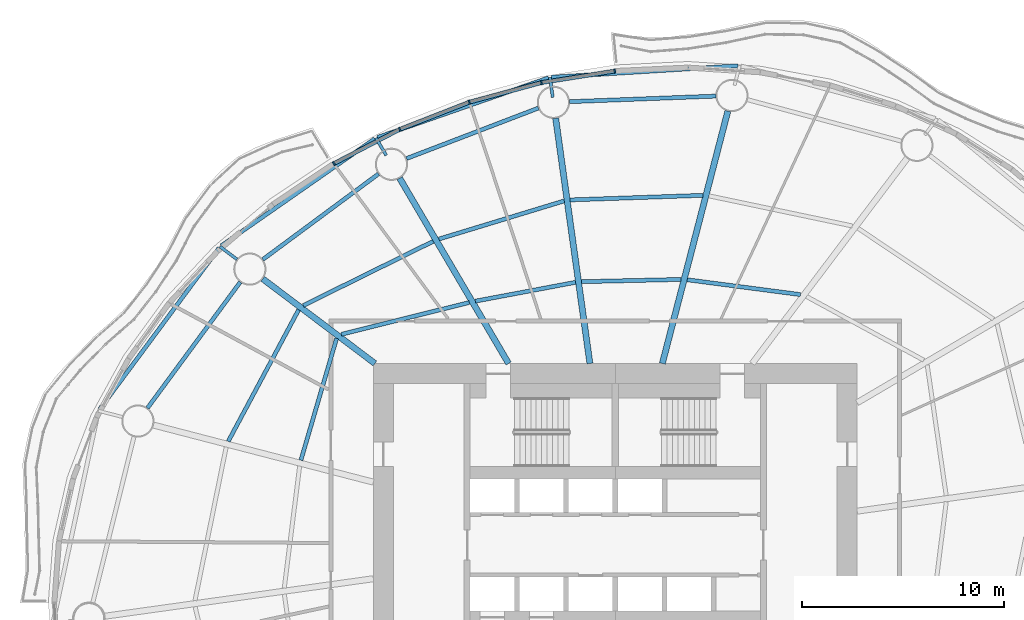
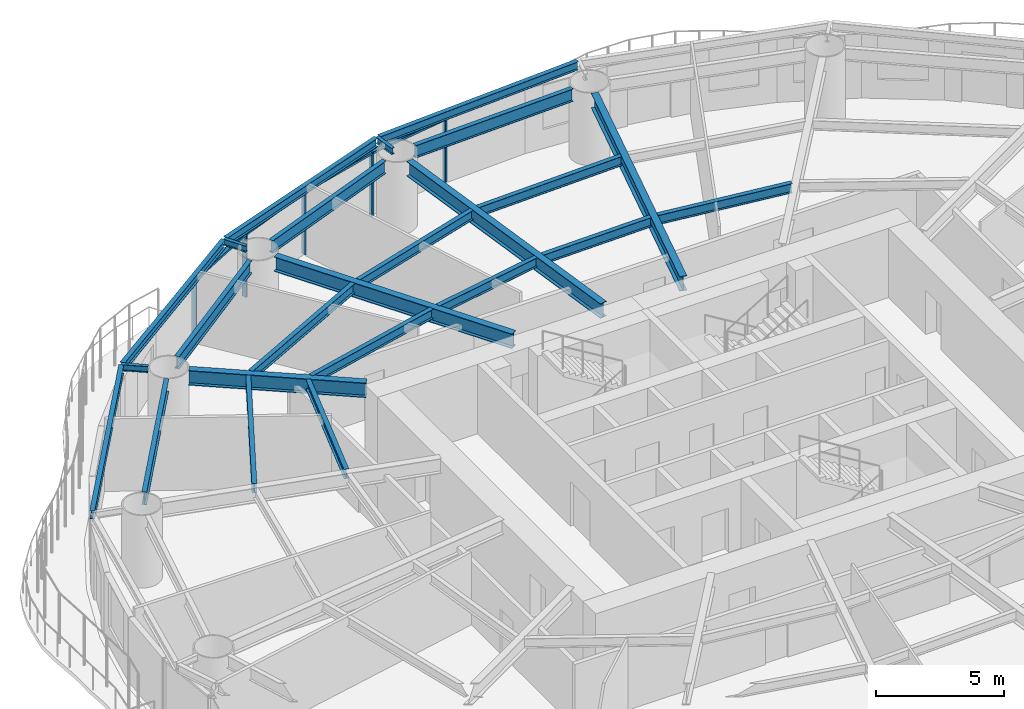
# One storey, part 4 of 14: 24 beams, 9 members, 4 elements without a shape of their own.
"""IFC4 building model written with IfcOpenShell, lengths in metres."""

from ifc_helpers import new_model, si_unit, direction, frame, origin, origin_2d, place, context, subcontext, project, spatial, rectangle, i_section, extrude, material, material_profile, profile_set, type_object, element, aggregate, save


model = new_model("IFC4")

# Units and contexts
model_context = context("Model", 3, precision=1e-05, world=origin(), true_north=direction((0.0, 1.0)))
body_context = subcontext(model_context, "Body", "Model", "MODEL_VIEW")
ifc_project = project(units=[si_unit("LENGTHUNIT", "METRE"), si_unit("AREAUNIT", "SQUARE_METRE"), si_unit("VOLUMEUNIT", "CUBIC_METRE"), si_unit("PLANEANGLEUNIT", "RADIAN"), si_unit("MASSUNIT", "GRAM", prefix="KILO")], contexts=[model_context])

# Site, building, storey
site_placement = place(None, origin())
site = spatial("IfcSite", under=ifc_project, at=site_placement, CompositionType="ELEMENT")
building_placement = place(site_placement, origin())
building = spatial("IfcBuilding", under=site, at=building_placement, Name="Vermilion Reach Broadcast Tower", CompositionType="ELEMENT")
storey_placement = place(building_placement, frame((0.0, 0.0, 106.60009765625)))
storey = spatial("IfcBuildingStorey", under=building, at=storey_placement, Name="L24", CompositionType="ELEMENT", Elevation=106.60009765625)

# Beams
ifc_material_1 = material(Name="Steel S355J2", Category="steel")
ifc_material_profile_1 = material_profile(ifc_material_1, i_section(OverallWidth=0.199951171875, OverallDepth=0.39990234375, WebThickness=0.008056640625, FlangeThickness=0.012939453125, at=origin_2d()), Name="S355J2 HN 400x200x8x13")
ifc_profile_set_1 = profile_set([ifc_material_profile_1], Name="Steel S355J2")
beam_type_1 = type_object("IfcBeamType", Name="EB2 HN 400x200x8x13", PredefinedType="BEAM", material=ifc_profile_set_1)
beam_1_placement = place(storey_placement, frame((0.09130859375, 23.767333984375, 3.25), z_axis=(-0.998113260315, -0.061399670871, 0.0), x_axis=(0.061399670871, -0.998113260315, 0.0)))
element("IfcBeam", 1, at=beam_1_placement, inside=storey, type_object=beam_type_1, Name="Edge beam EB2-03", PredefinedType="BEAM", context=body_context, shape_type="SweptSolid", body=[
    extrude(i_section(OverallWidth=0.199951171875, OverallDepth=0.39990234375, WebThickness=0.008056640625, FlangeThickness=0.012939453125, at=origin_2d()), origin(), (0.0, 0.0, 1.0), 9.272705078125),
])
beam_2_placement = place(storey_placement, frame((-9.311279296875, 23.168212890625, 3.25), z_axis=(-0.944370251801, -0.328884215968, 0.0), x_axis=(0.328884215968, -0.944370251801, 0.0)))
element("IfcBeam", 2, at=beam_2_placement, inside=storey, type_object=beam_type_1, Name="Edge beam EB2-04", PredefinedType="BEAM", context=body_context, shape_type="SweptSolid", body=[
    extrude(i_section(OverallWidth=0.199951171875, OverallDepth=0.39990234375, WebThickness=0.008056640625, FlangeThickness=0.012939453125, at=origin_2d()), origin(), (0.0, 0.0, 1.0), 8.984375),
])
beam_3_placement = place(storey_placement, frame((-17.9296875, 20.145263671875, 3.25), z_axis=(-0.820363358061, -0.571842601378, 0.0), x_axis=(0.571842601378, -0.820363358061, 0.0)))
element("IfcBeam", 3, at=beam_3_placement, inside=storey, type_object=beam_type_1, Name="Edge beam EB2-05", PredefinedType="BEAM", context=body_context, shape_type="SweptSolid", body=[
    extrude(i_section(OverallWidth=0.199951171875, OverallDepth=0.39990234375, WebThickness=0.008056640625, FlangeThickness=0.012939453125, at=origin_2d()), origin(), (0.0, 0.0, 1.0), 9.272705078125),
])
beam_4_placement = place(storey_placement, frame((-25.64599609375, 14.7373046875, 3.25), z_axis=(-0.595131004952, -0.803628699677, 0.0), x_axis=(0.803628699677, -0.595131004952, 0.0)))
element("IfcBeam", 4, at=beam_4_placement, inside=storey, type_object=beam_type_1, Name="Edge beam EB2-06", PredefinedType="BEAM", context=body_context, shape_type="SweptSolid", body=[
    extrude(i_section(OverallWidth=0.199951171875, OverallDepth=0.39990234375, WebThickness=0.008056640625, FlangeThickness=0.012939453125, at=origin_2d()), origin(), (0.0, 0.0, 1.0), 9.978759765625),
])
ifc_material_2 = material(Name="Steel S355J2", Category="steel")
ifc_material_profile_2 = material_profile(ifc_material_2, i_section(OverallWidth=0.300048828125, OverallDepth=0.699951171875, WebThickness=0.012939453125, FlangeThickness=0.02392578125, at=origin_2d()), Name="S355J2 HN 700x300x13x24")
ifc_profile_set_2 = profile_set([ifc_material_profile_2], Name="Steel S355J2")
beam_type_2 = type_object("IfcBeamType", Name="G2 HN 700x300x13x24", PredefinedType="BEAM", material=ifc_profile_set_2)
beam_5_placement = place(storey_placement, frame((-3.6640625, 9.0, 3.099853515625), z_axis=(0.25121695316, 0.967930804575, 0.0), x_axis=(-0.967930804575, 0.25121695316, 0.0)))
element("IfcBeam", 5, at=beam_5_placement, inside=storey, type_object=beam_type_2, Name="Girder G2-03", PredefinedType="BEAM", context=body_context, shape_type="SweptSolid", body=[
    extrude(i_section(OverallWidth=0.300048828125, OverallDepth=0.699951171875, WebThickness=0.012939453125, FlangeThickness=0.02392578125, at=origin_2d()), origin(), (0.0, 0.0, 1.0), 12.93505859375),
])
beam_6_placement = place(storey_placement, frame((-7.2568359375, 9.0, 3.099853515625), z_axis=(-0.138317561234, 0.990387930184, 0.0), x_axis=(-0.990387930184, -0.138317561234, 0.0)))
element("IfcBeam", 6, at=beam_6_placement, inside=storey, type_object=beam_type_2, Name="Girder G2-04", PredefinedType="BEAM", context=body_context, shape_type="SweptSolid", body=[
    extrude(i_section(OverallWidth=0.300048828125, OverallDepth=0.699951171875, WebThickness=0.012939453125, FlangeThickness=0.02392578125, at=origin_2d()), origin(), (0.0, 0.0, 1.0), 12.281494140625),
])
beam_7_placement = place(storey_placement, frame((-11.290771484375, 9.0, 3.099853515625), z_axis=(-0.506783943634, 0.862073102744, 0.0), x_axis=(-0.862073102744, -0.506783943634, 0.0)))
element("IfcBeam", 7, at=beam_7_placement, inside=storey, type_object=beam_type_2, Name="Girder G2-05", PredefinedType="BEAM", context=body_context, shape_type="SweptSolid", body=[
    extrude(i_section(OverallWidth=0.300048828125, OverallDepth=0.699951171875, WebThickness=0.012939453125, FlangeThickness=0.02392578125, at=origin_2d()), origin(), (0.0, 0.0, 1.0), 10.661865234375),
])
beam_8_placement = place(storey_placement, frame((-17.921630859375, 9.0, 3.099853515625), z_axis=(-0.798113534072, 0.602507084382, 0.0), x_axis=(-0.602507084382, -0.798113534072, 0.0)))
element("IfcBeam", 8, at=beam_8_placement, inside=storey, type_object=beam_type_2, Name="Girder G2-06", PredefinedType="BEAM", context=body_context, shape_type="SweptSolid", body=[
    extrude(i_section(OverallWidth=0.300048828125, OverallDepth=0.699951171875, WebThickness=0.012939453125, FlangeThickness=0.02392578125, at=origin_2d()), origin(), (0.0, 0.0, 1.0), 6.971923828125),
])
ifc_material_3 = material(Name="Steel S355J2", Category="steel")
ifc_material_profile_3 = material_profile(ifc_material_3, i_section(OverallWidth=0.14990234375, OverallDepth=0.300048828125, WebThickness=0.006591796875, FlangeThickness=0.009033203125, at=origin_2d()), Name="S355J2 HN 300x150x6.5x9")
ifc_profile_set_3 = profile_set([ifc_material_profile_3], Name="Steel S355J2")
beam_type_3 = type_object("IfcBeamType", Name="GS2 HN 300x150x6.5x9", PredefinedType="BEAM", material=ifc_profile_set_3)
for number, where, z_axis, x_axis, name in (
    (9, (-9.1005859375, 22.202880859375, 3.2998046875), (-0.138413206764, 0.990374567622, 0.0), (-0.990374567622, -0.138413206764, 0.0), "Cantilever stub GS2-04"),
    (10, (-17.361328125, 19.326171875, 3.2998046875), (-0.506828068037, 0.862047161964, 0.0), (-0.862047161964, -0.506828068037, 0.0), "Cantilever stub GS2-05"),
):
    element("IfcBeam", number, at=place(storey_placement, frame(where, z_axis=z_axis, x_axis=x_axis)), inside=storey, type_object=beam_type_3, Name=name, PredefinedType="BEAM", context=body_context, shape_type="SweptSolid", body=[
        extrude(i_section(OverallWidth=0.14990234375, OverallDepth=0.300048828125, WebThickness=0.006591796875, FlangeThickness=0.009033203125, at=origin_2d()), origin(), (0.0, 0.0, 1.0), 1.0),
    ])
beam_9_placement = place(storey_placement, frame((-24.762939453125, 14.16455078125, 3.2998046875), z_axis=(-0.798043649723, 0.602599645816, 0.0), x_axis=(-0.602599645816, -0.798043649723, 0.0)))
element("IfcBeam", 11, at=beam_9_placement, inside=storey, type_object=beam_type_3, Name="Cantilever stub GS2-06", PredefinedType="BEAM", context=body_context, shape_type="SweptSolid", body=[
    extrude(i_section(OverallWidth=0.14990234375, OverallDepth=0.300048828125, WebThickness=0.006591796875, FlangeThickness=0.009033203125, at=origin_2d()), origin(), (0.0, 0.0, 1.0), 1.050537109375),
])
ifc_material_4 = material(Name="Steel S355J2", Category="steel")
ifc_material_profile_4 = material_profile(ifc_material_4, i_section(OverallWidth=0.199951171875, OverallDepth=0.60009765625, WebThickness=0.010986328125, FlangeThickness=0.01708984375, at=origin_2d()), Name="S355J2 HN 600x200x11x17")
ifc_profile_set_4 = profile_set([ifc_material_profile_4], Name="Steel S355J2")
beam_type_4 = type_object("IfcBeamType", Name="RB2 HN 600x200x11x17", PredefinedType="BEAM", material=ifc_profile_set_4)
beam_10_placement = place(storey_placement, frame((-1.012939453125, 22.263916015625, 3.14990234375), z_axis=(-0.999268558327, -0.038240663418, 0.0), x_axis=(0.038240663418, -0.999268558327, 0.0)))
element("IfcBeam", 12, at=beam_10_placement, inside=storey, type_object=beam_type_4, Name="Ring beam RB2-03", PredefinedType="BEAM", context=body_context, shape_type="SweptSolid", body=[
    extrude(i_section(OverallWidth=0.199951171875, OverallDepth=0.60009765625, WebThickness=0.010986328125, FlangeThickness=0.01708984375, at=origin_2d()), origin(), (0.0, 0.0, 1.0), 7.259033203125),
])
beam_11_placement = place(storey_placement, frame((-9.813232421875, 21.669677734375, 3.14990234375), z_axis=(-0.933939237212, -0.357431813353, 0.0), x_axis=(0.357431813353, -0.933939237212, 0.0)))
element("IfcBeam", 13, at=beam_11_placement, inside=storey, type_object=beam_type_4, Name="Ring beam RB2-04", PredefinedType="BEAM", context=body_context, shape_type="SweptSolid", body=[
    extrude(i_section(OverallWidth=0.199951171875, OverallDepth=0.60009765625, WebThickness=0.010986328125, FlangeThickness=0.01708984375, at=origin_2d()), origin(), (0.0, 0.0, 1.0), 7.001953125),
])
beam_12_placement = place(storey_placement, frame((-17.74267578125, 18.4052734375, 3.14990234375), z_axis=(-0.803832742218, -0.594855379515, 0.0), x_axis=(0.594855379515, -0.803832742218, 0.0)))
element("IfcBeam", 14, at=beam_12_placement, inside=storey, type_object=beam_type_4, Name="Ring beam RB2-05", PredefinedType="BEAM", context=body_context, shape_type="SweptSolid", body=[
    extrude(i_section(OverallWidth=0.199951171875, OverallDepth=0.60009765625, WebThickness=0.010986328125, FlangeThickness=0.01708984375, at=origin_2d()), origin(), (0.0, 0.0, 1.0), 7.13916015625),
])
beam_13_placement = place(storey_placement, frame((-24.59912109375, 13.03857421875, 3.14990234375), z_axis=(-0.593250534798, -0.80501788984, 0.0), x_axis=(0.80501788984, -0.593250534798, 0.0)))
element("IfcBeam", 15, at=beam_13_placement, inside=storey, type_object=beam_type_4, Name="Ring beam RB2-06", PredefinedType="BEAM", context=body_context, shape_type="SweptSolid", body=[
    extrude(i_section(OverallWidth=0.199951171875, OverallDepth=0.60009765625, WebThickness=0.010986328125, FlangeThickness=0.01708984375, at=origin_2d()), origin(), (0.0, 0.0, 1.0), 7.76220703125),
])
ifc_material_5 = material(Name="Steel S355J2", Category="steel")
ifc_material_profile_5 = material_profile(ifc_material_5, i_section(OverallWidth=0.199951171875, OverallDepth=0.449951171875, WebThickness=0.009033203125, FlangeThickness=0.013916015625, at=origin_2d()), Name="S355J2 HN 450x200x9x14")
ifc_profile_set_5 = profile_set([ifc_material_profile_5], Name="Steel S355J2")
beam_type_5 = type_object("IfcBeamType", Name="SB2 HN 450x200x9x14", PredefinedType="BEAM", material=ifc_profile_set_5)
beam_14_placement = place(storey_placement, frame((3.185546875, 12.416748046875, 3.224853515625), z_axis=(-0.991498686864, 0.130116693573, 0.0), x_axis=(-0.130116693573, -0.991498686864, 0.0)))
element("IfcBeam", 16, at=beam_14_placement, inside=storey, type_object=beam_type_5, Name="Secondary beam SB2-02-1", PredefinedType="BEAM", context=body_context, shape_type="SweptSolid", body=[
    extrude(i_section(OverallWidth=0.199951171875, OverallDepth=0.449951171875, WebThickness=0.009033203125, FlangeThickness=0.013916015625, at=origin_2d()), origin(), (0.0, 0.0, 1.0), 5.66455078125),
])
beam_15_placement = place(storey_placement, frame((-2.73681640625, 13.169921875, 3.224853515625), z_axis=(-0.999742320425, -0.022700060602, 0.0), x_axis=(0.022700060602, -0.999742320425, 0.0)))
element("IfcBeam", 17, at=beam_15_placement, inside=storey, type_object=beam_type_5, Name="Secondary beam SB2-03-1", PredefinedType="BEAM", context=body_context, shape_type="SweptSolid", body=[
    extrude(i_section(OverallWidth=0.199951171875, OverallDepth=0.449951171875, WebThickness=0.009033203125, FlangeThickness=0.013916015625, at=origin_2d()), origin(), (0.0, 0.0, 1.0), 4.9365234375),
])
beam_16_placement = place(storey_placement, frame((-1.654052734375, 17.34130859375, 3.224853515625), z_axis=(-0.999404722387, -0.03449928797, 0.0), x_axis=(0.03449928797, -0.999404722387, 0.0)))
element("IfcBeam", 18, at=beam_16_placement, inside=storey, type_object=beam_type_5, Name="Secondary beam SB2-03-2", PredefinedType="BEAM", context=body_context, shape_type="SweptSolid", body=[
    extrude(i_section(OverallWidth=0.199951171875, OverallDepth=0.449951171875, WebThickness=0.009033203125, FlangeThickness=0.013916015625, at=origin_2d()), origin(), (0.0, 0.0, 1.0), 6.58837890625),
])
beam_17_placement = place(storey_placement, frame((-7.970703125, 13.026611328125, 3.224853515625), z_axis=(-0.982782890015, -0.184764149915, 0.0), x_axis=(0.184764149915, -0.982782890015, 0.0)))
element("IfcBeam", 19, at=beam_17_placement, inside=storey, type_object=beam_type_5, Name="Secondary beam SB2-04-1", PredefinedType="BEAM", context=body_context, shape_type="SweptSolid", body=[
    extrude(i_section(OverallWidth=0.199951171875, OverallDepth=0.449951171875, WebThickness=0.009033203125, FlangeThickness=0.013916015625, at=origin_2d()), origin(), (0.0, 0.0, 1.0), 5.051513671875),
])
beam_18_placement = place(storey_placement, frame((-8.53466796875, 17.064697265625, 3.224853515625), z_axis=(-0.956596430605, -0.291415972374, 0.0), x_axis=(0.291415972374, -0.956596430605, 0.0)))
element("IfcBeam", 20, at=beam_18_placement, inside=storey, type_object=beam_type_5, Name="Secondary beam SB2-04-2", PredefinedType="BEAM", context=body_context, shape_type="SweptSolid", body=[
    extrude(i_section(OverallWidth=0.199951171875, OverallDepth=0.449951171875, WebThickness=0.009033203125, FlangeThickness=0.013916015625, at=origin_2d()), origin(), (0.0, 0.0, 1.0), 6.49267578125),
])
beam_19_placement = place(storey_placement, frame((-13.24365234375, 12.026123046875, 3.224853515625), z_axis=(-0.970396717612, -0.241516480695, 0.0), x_axis=(0.241516480695, -0.970396717612, 0.0)))
element("IfcBeam", 21, at=beam_19_placement, inside=storey, type_object=beam_type_5, Name="Secondary beam SB2-05-1", PredefinedType="BEAM", context=body_context, shape_type="SweptSolid", body=[
    extrude(i_section(OverallWidth=0.199951171875, OverallDepth=0.449951171875, WebThickness=0.009033203125, FlangeThickness=0.013916015625, at=origin_2d()), origin(), (0.0, 0.0, 1.0), 6.539306640625),
])
beam_20_placement = place(storey_placement, frame((-15.02783203125, 15.06103515625, 3.224853515625), z_axis=(-0.896648255868, -0.442743611189, 0.0), x_axis=(0.442743611189, -0.896648255868, 0.0)))
element("IfcBeam", 22, at=beam_20_placement, inside=storey, type_object=beam_type_5, Name="Secondary beam SB2-05-2", PredefinedType="BEAM", context=body_context, shape_type="SweptSolid", body=[
    extrude(i_section(OverallWidth=0.199951171875, OverallDepth=0.449951171875, WebThickness=0.009033203125, FlangeThickness=0.013916015625, at=origin_2d()), origin(), (0.0, 0.0, 1.0), 7.19677734375),
])
beam_21_placement = place(storey_placement, frame((-19.821533203125, 10.246337890625, 3.224853515625), z_axis=(-0.281175657723, -0.959656318431, 0.0), x_axis=(0.959656318431, -0.281175657723, 0.0)))
element("IfcBeam", 23, at=beam_21_placement, inside=storey, type_object=beam_type_5, Name="Secondary beam SB2-06-1", PredefinedType="BEAM", context=body_context, shape_type="SweptSolid", body=[
    extrude(i_section(OverallWidth=0.199951171875, OverallDepth=0.449951171875, WebThickness=0.009033203125, FlangeThickness=0.013916015625, at=origin_2d()), origin(), (0.0, 0.0, 1.0), 6.298583984375),
])
beam_22_placement = place(storey_placement, frame((-21.702880859375, 11.66650390625, 3.224853515625), z_axis=(-0.471821551693, -0.881694064491, 0.0), x_axis=(0.881694064491, -0.471821551693, 0.0)))
element("IfcBeam", 24, at=beam_22_placement, inside=storey, type_object=beam_type_5, Name="Secondary beam SB2-06-2", PredefinedType="BEAM", context=body_context, shape_type="SweptSolid", body=[
    extrude(i_section(OverallWidth=0.199951171875, OverallDepth=0.449951171875, WebThickness=0.009033203125, FlangeThickness=0.013916015625, at=origin_2d()), origin(), (0.0, 0.0, 1.0), 7.405029296875),
])

# Curtain wall, member
ifc_material_6 = material(Name="Low-e laminated clear glass in aluminium frame", Category="aluminium")
curtain_wall_type = type_object("IfcCurtainWallType", Name="Slot curtain wall", PredefinedType="NOTDEFINED", material=ifc_material_6)
placement = place(storey_placement, origin())
curtain_wall_1 = element("IfcCurtainWall", 25, at=placement, inside=storey, type_object=curtain_wall_type, Name="Slot curtain wall L24 10", PredefinedType="NOTDEFINED")
ifc_material_7 = material(Name="Anodised aluminium", Category="aluminium")
ifc_material_profile_6 = material_profile(ifc_material_7, rectangle(XDim=0.199951171875, YDim=0.080078125, at=origin_2d()), Name="Slot mullion 80 x 200")
ifc_profile_set_6 = profile_set([ifc_material_profile_6], Name="Anodised aluminium")
member_type_1 = type_object("IfcMemberType", Name="Slot mullion 80 x 200", PredefinedType="MULLION", material=ifc_profile_set_6)
member_1_placement = place(storey_placement, frame((-6.024658203125, 23.507568359375, 0.0), z_axis=(0.0, 0.0, 1.0), x_axis=(0.101733548413, -0.994811683248, 0.0)))
member_1 = element("IfcMember", 26, at=member_1_placement, type_object=member_type_1, Name="Slot mullion L24 10", PredefinedType="MULLION", context=body_context, shape_type="SweptSolid", body=[
    extrude(rectangle(XDim=0.199951171875, YDim=0.080078125, at=origin_2d()), origin(), (0.0, 0.0, 1.0), 3.0498046875),
])

curtain_wall_2 = element("IfcCurtainWall", 27, at=placement, inside=storey, type_object=curtain_wall_type, Name="Slot curtain wall L24 11", PredefinedType="NOTDEFINED")
member_2_placement = place(storey_placement, frame((-9.66259765625, 22.9326171875, 0.0), z_axis=(0.0, 0.0, 1.0), x_axis=(0.209175943759, -0.977878021306, 0.0)))
member_2 = element("IfcMember", 28, at=member_2_placement, type_object=member_type_1, Name="Slot mullion L24 11", PredefinedType="MULLION", context=body_context, shape_type="SweptSolid", body=[
    extrude(rectangle(XDim=0.199951171875, YDim=0.080078125, at=origin_2d()), origin(), (0.0, 0.0, 1.0), 3.0498046875),
])

curtain_wall_3 = element("IfcCurtainWall", 29, at=placement, inside=storey, type_object=curtain_wall_type, Name="Slot curtain wall L24 12", PredefinedType="NOTDEFINED")
member_3_placement = place(storey_placement, frame((-13.23828125, 21.96337890625, 0.0), z_axis=(0.0, 0.0, 1.0), x_axis=(0.312998042395, -0.949753770962, 0.0)))
member_3 = element("IfcMember", 30, at=member_3_placement, type_object=member_type_1, Name="Slot mullion L24 12", PredefinedType="MULLION", context=body_context, shape_type="SweptSolid", body=[
    extrude(rectangle(XDim=0.199951171875, YDim=0.080078125, at=origin_2d()), origin(), (0.0, 0.0, 1.0), 3.0498046875),
])

# Curtain wall, members
curtain_wall_4 = element("IfcCurtainWall", 31, at=placement, inside=storey, type_object=curtain_wall_type, Name="Slot curtain wall L24 13", PredefinedType="NOTDEFINED")
member_4_placement = place(storey_placement, frame((-16.689208984375, 20.616943359375, 0.0), z_axis=(0.0, 0.0, 1.0), x_axis=(0.413198837473, -0.910640829697, 0.0)))
member_4 = element("IfcMember", 32, at=member_4_placement, type_object=member_type_1, Name="Slot mullion L24 13", PredefinedType="MULLION", context=body_context, shape_type="SweptSolid", body=[
    extrude(rectangle(XDim=0.199951171875, YDim=0.080078125, at=origin_2d()), origin(), (0.0, 0.0, 1.0), 3.0498046875),
])
member_5_placement = place(storey_placement, frame((-19.95654296875, 18.916259765625, 0.0), z_axis=(0.0, 0.0, 1.0), x_axis=(0.509657128701, -0.860377598014, 0.0)))
member_5 = element("IfcMember", 33, at=member_5_placement, type_object=member_type_1, Name="Slot mullion L24 14", PredefinedType="MULLION", context=body_context, shape_type="SweptSolid", body=[
    extrude(rectangle(XDim=0.199951171875, YDim=0.080078125, at=origin_2d()), origin(), (0.0, 0.0, 1.0), 3.0498046875),
])

# Member
ifc_material_8 = material(Name="Anodised aluminium", Category="aluminium")
ifc_material_profile_7 = material_profile(ifc_material_8, rectangle(XDim=0.199951171875, YDim=0.10009765625, at=origin_2d()), Name="Slot transom 200 x 100")
ifc_profile_set_7 = profile_set([ifc_material_profile_7], Name="Anodised aluminium")
member_type_2 = type_object("IfcMemberType", Name="Slot transom 200 x 100", PredefinedType="USERDEFINED", material=ifc_profile_set_7)
member_6_placement = place(storey_placement, frame((-6.064208984375, 23.50146484375, 3.0), z_axis=(-0.987729431371, -0.156174807197, 0.0), x_axis=(0.156174807197, -0.987729431371, 0.0)))
member_6 = element("IfcMember", 34, at=member_6_placement, type_object=member_type_2, Name="Slot transom L24 10.1", ObjectType="TRANSOM", PredefinedType="USERDEFINED", context=body_context, shape_type="SweptSolid", body=[
    extrude(rectangle(XDim=0.199951171875, YDim=0.10009765625, at=origin_2d()), origin(), (0.0, 0.0, 1.0), 3.603271484375),
])

aggregate(curtain_wall_1, [member_1, member_6])

member_7_placement = place(storey_placement, frame((-9.701416015625, 22.922119140625, 3.0), z_axis=(-0.965166856738, -0.26163512504, 0.0), x_axis=(0.26163512504, -0.965166856738, 0.0)))
member_7 = element("IfcMember", 35, at=member_7_placement, type_object=member_type_2, Name="Slot transom L24 11.1", ObjectType="TRANSOM", PredefinedType="USERDEFINED", context=body_context, shape_type="SweptSolid", body=[
    extrude(rectangle(XDim=0.199951171875, YDim=0.10009765625, at=origin_2d()), origin(), (0.0, 0.0, 1.0), 3.624267578125),
])

aggregate(curtain_wall_2, [member_2, member_7])

member_8_placement = place(storey_placement, frame((-13.275390625, 21.94873046875, 3.0), z_axis=(-0.931610998348, -0.363456940719, 0.0), x_axis=(0.363456940719, -0.931610998348, 0.0)))
member_8 = element("IfcMember", 36, at=member_8_placement, type_object=member_type_2, Name="Slot transom L24 12.1", ObjectType="TRANSOM", PredefinedType="USERDEFINED", context=body_context, shape_type="SweptSolid", body=[
    extrude(rectangle(XDim=0.199951171875, YDim=0.10009765625, at=origin_2d()), origin(), (0.0, 0.0, 1.0), 3.62451171875),
])

aggregate(curtain_wall_3, [member_3, member_8])

member_9_placement = place(storey_placement, frame((-16.724853515625, 20.598388671875, 3.0), z_axis=(-0.887031459516, -0.461708988247, 0.0), x_axis=(0.461708988247, -0.887031459516, 0.0)))
member_9 = element("IfcMember", 37, at=member_9_placement, type_object=member_type_2, Name="Slot transom L24 13.1", ObjectType="TRANSOM", PredefinedType="USERDEFINED", context=body_context, shape_type="SweptSolid", body=[
    extrude(rectangle(XDim=0.199951171875, YDim=0.10009765625, at=origin_2d()), origin(), (0.0, 0.0, 1.0), 3.60302734375),
])

aggregate(curtain_wall_4, [member_4, member_5, member_9])

save(model, "model.ifc")
